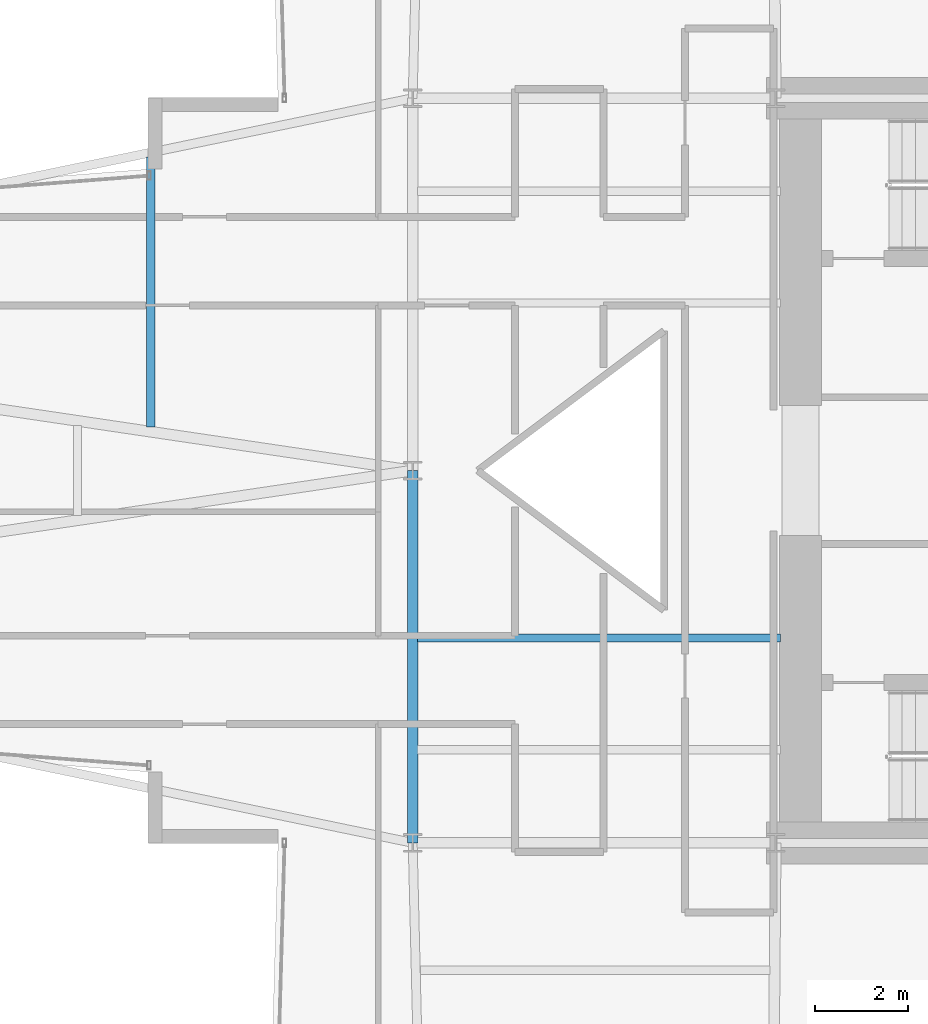
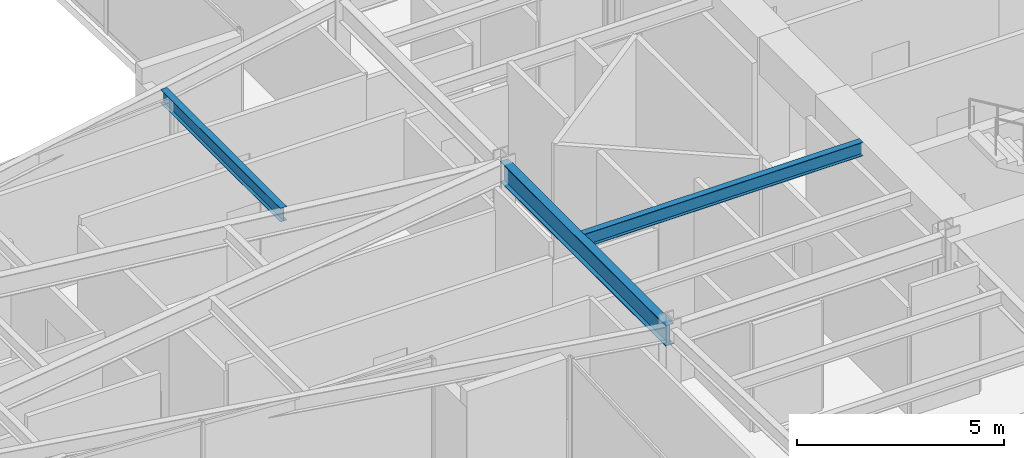
# One storey, part 11 of 29: 3 beams.
"""IFC4 building model written with IfcOpenShell, lengths in metres."""

from ifc_helpers import new_model, si_unit, direction, frame, origin, origin_2d, place, context, subcontext, project, spatial, i_section, extrude, material, material_profile, profile_set, type_object, element, save


model = new_model("IFC4")

# Units and contexts
model_context = context("Model", 3, precision=1e-05, world=origin(), true_north=direction((0.0, 1.0)))
body_context = subcontext(model_context, "Body", "Model", "MODEL_VIEW")
ifc_project = project(units=[si_unit("LENGTHUNIT", "METRE"), si_unit("AREAUNIT", "SQUARE_METRE"), si_unit("VOLUMEUNIT", "CUBIC_METRE"), si_unit("PLANEANGLEUNIT", "RADIAN"), si_unit("MASSUNIT", "GRAM", prefix="KILO")], contexts=[model_context])

# Site, building, storey
site_placement = place(None, origin())
site = spatial("IfcSite", under=ifc_project, at=site_placement, CompositionType="ELEMENT")
building_placement = place(site_placement, origin())
building = spatial("IfcBuilding", under=site, at=building_placement, Name="Veymaron Broadcast Tower", CompositionType="ELEMENT")
storey_placement = place(building_placement, frame((0.0, 0.0, 58.050048828125)))
storey = spatial("IfcBuildingStorey", under=building, at=storey_placement, Name="L12", CompositionType="ELEMENT", Elevation=58.050048828125)

# Beams
ifc_material = material(Name="Structural steel ASTM A992 Gr 50", Category="steel")
ifc_material_profile_1 = material_profile(ifc_material, i_section(OverallWidth=0.22998046875, OverallDepth=0.616943359375, WebThickness=0.01318359375, FlangeThickness=0.022216796875, at=origin_2d()), Name="W610X140")
ifc_profile_set_1 = profile_set([ifc_material_profile_1], Name="Structural steel ASTM A992 Gr 50")
beam_type_1 = type_object("IfcBeamType", Name="BM-FG1", PredefinedType="BEAM", material=ifc_profile_set_1)
beam_1_placement = place(storey_placement, frame((31.199951171875, 16.0, 3.50146484375), z_axis=(0.0, 1.0, 0.0), x_axis=(-1.0, 0.0, 0.0)))
element("IfcBeam", 1, at=beam_1_placement, inside=storey, type_object=beam_type_1, Name="L12 primary structural floor girder", PredefinedType="BEAM", context=body_context, shape_type="SweptSolid", body=[
    extrude(i_section(OverallWidth=0.22998046875, OverallDepth=0.616943359375, WebThickness=0.01318359375, FlangeThickness=0.022216796875, at=origin_2d()), origin(), (0.0, 0.0, 1.0), 8.0),
])
ifc_material_profile_2 = material_profile(ifc_material, i_section(OverallWidth=0.177978515625, OverallDepth=0.406982421875, WebThickness=0.0078125, FlangeThickness=0.0126953125, at=origin_2d()), Name="W410X60")
ifc_profile_set_2 = profile_set([ifc_material_profile_2], Name="Structural steel ASTM A992 Gr 50")
beam_type_2 = type_object("IfcBeamType", Name="BM-JS1", PredefinedType="JOIST", material=ifc_profile_set_2)
beam_2_placement = place(storey_placement, frame((25.57421875, 24.933837890625, 3.6064453125), z_axis=(0.0, 1.0, 0.0), x_axis=(-1.0, 0.0, 0.0)))
element("IfcBeam", 2, at=beam_2_placement, inside=storey, type_object=beam_type_2, Name="L12 Arm-A secondary joist 2N", PredefinedType="JOIST", context=body_context, shape_type="SweptSolid", body=[
    extrude(i_section(OverallWidth=0.177978515625, OverallDepth=0.406982421875, WebThickness=0.0078125, FlangeThickness=0.0126953125, at=origin_2d()), origin(), (0.0, 0.0, 1.0), 5.800048828125),
])
beam_3_placement = place(storey_placement, frame((31.300048828125, 20.39990234375, 3.6064453125), z_axis=(1.0, 0.0, 0.0), x_axis=(0.0, 1.0, 0.0)))
element("IfcBeam", 3, at=beam_3_placement, inside=storey, type_object=beam_type_2, Name="L12 Hub secondary joist 2", PredefinedType="JOIST", context=body_context, shape_type="SweptSolid", body=[
    extrude(i_section(OverallWidth=0.177978515625, OverallDepth=0.406982421875, WebThickness=0.0078125, FlangeThickness=0.0126953125, at=origin_2d()), origin(), (0.0, 0.0, 1.0), 7.800048828125),
])

save(model, "model.ifc")
